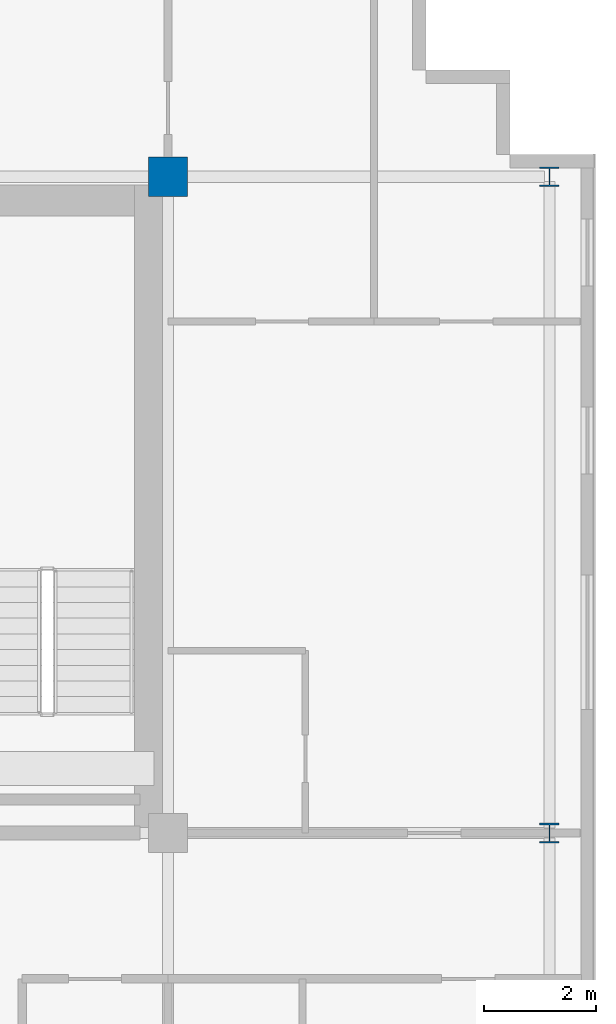
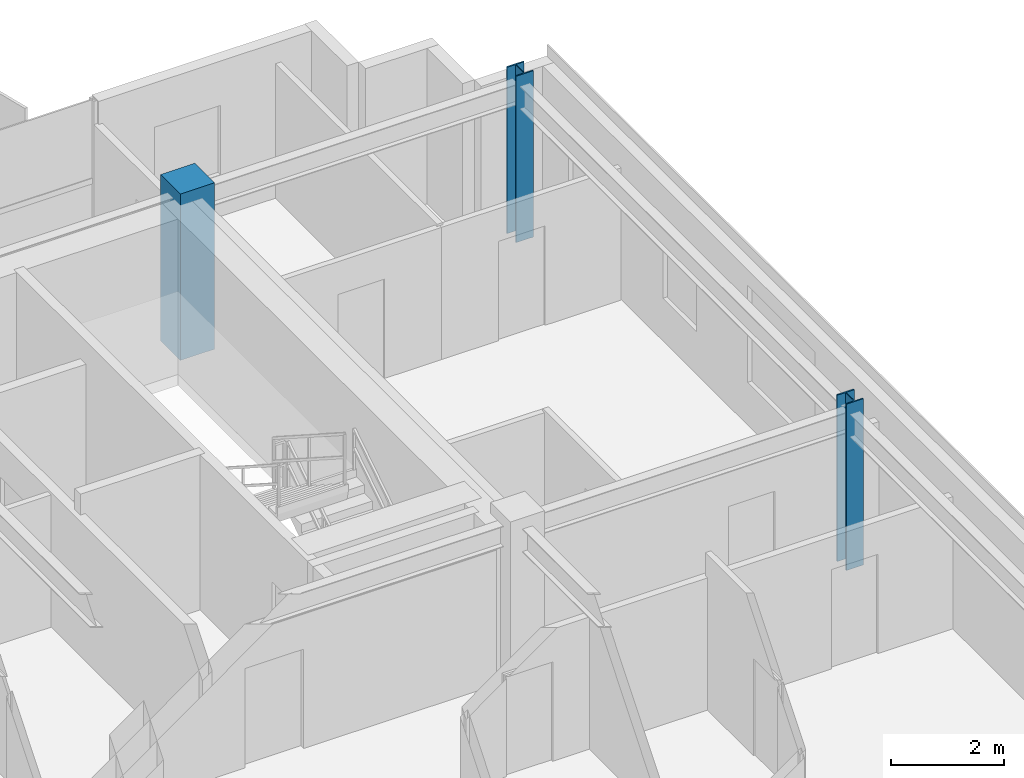
# One storey, part 4 of 23: 3 columns.
"""IFC4 building model written with IfcOpenShell, lengths in metres."""

from ifc_helpers import new_model, si_unit, direction, frame, origin, origin_2d, place, context, subcontext, project, spatial, rectangle, i_section, extrude, source, transform, mapped, material, material_profile, profile_set, type_object, element, save


model = new_model("IFC4")

# Units and contexts
model_context = context("Model", 3, precision=1e-05, world=origin(), true_north=direction((0.0, 1.0)))
body_context = subcontext(model_context, "Body", "Model", "MODEL_VIEW")
ifc_project = project(units=[si_unit("LENGTHUNIT", "METRE"), si_unit("AREAUNIT", "SQUARE_METRE"), si_unit("VOLUMEUNIT", "CUBIC_METRE"), si_unit("PLANEANGLEUNIT", "RADIAN"), si_unit("MASSUNIT", "GRAM", prefix="KILO")], contexts=[model_context])

# Site, building, storey
site_placement = place(None, origin())
site = spatial("IfcSite", under=ifc_project, at=site_placement, CompositionType="ELEMENT")
building_placement = place(site_placement, origin())
building = spatial("IfcBuilding", under=site, at=building_placement, Name="Trelvane Seafront Commons", CompositionType="ELEMENT")
storey_placement = place(building_placement, frame((0.0, 0.0, 212.10009765625)))
storey = spatial("IfcBuildingStorey", under=building, at=storey_placement, Name="L55", CompositionType="ELEMENT", Elevation=212.10009765625)

# Columns
ifc_material_1 = material(Name="Concrete C50/60", Category="concrete")
ifc_material_profile_1 = material_profile(ifc_material_1, rectangle(XDim=0.699951171875, YDim=0.699951171875, at=origin_2d()), Name="RC-700x700")
ifc_profile_set_1 = profile_set([ifc_material_profile_1], Name="Concrete C50/60")
column_type_1 = type_object("IfcColumnType", Name="STR-COL-RC700", PredefinedType="COLUMN", material=ifc_profile_set_1)
shared_shape_1 = source(origin(), body_context, "Body", "SweptSolid", [
    extrude(rectangle(XDim=0.699951171875, YDim=0.699951171875, at=origin_2d()), origin(), (0.0, 0.0, 1.0), 3.599853515625),
])
column_placement = place(storey_placement, frame((58.800048828125, 45.10009765625, 0.0), z_axis=(0.0, 0.0, 1.0), x_axis=(1.0, 0.0, 0.0)))
element("IfcColumn", 1, at=column_placement, inside=storey, type_object=column_type_1, Name="L55 Column TC-CN58.8", PredefinedType="COLUMN", context=body_context, shape_type="MappedRepresentation", body=[
    mapped(shared_shape_1, transform((0.0, 0.0, 0.0), x_axis=(1.0, 0.0, 0.0), y_axis=(0.0, 1.0, 0.0), z_axis=(0.0, 0.0, 1.0), scale=1.0)),
])
ifc_material_2 = material(Name="Steel SM355 (S355)", Category="steel")
ifc_material_profile_2 = material_profile(ifc_material_2, i_section(OverallWidth=0.35009765625, OverallDepth=0.35009765625, WebThickness=0.01806640625, FlangeThickness=0.028076171875, at=origin_2d()), Name="HD-350x350x18x28")
ifc_profile_set_2 = profile_set([ifc_material_profile_2], Name="Steel SM355 (S355)")
column_type_2 = type_object("IfcColumnType", Name="STR-COL-HD350", PredefinedType="COLUMN", material=ifc_profile_set_2)
shared_shape_2 = source(origin(), body_context, "Body", "SweptSolid", [
    extrude(i_section(OverallWidth=0.35009765625, OverallDepth=0.35009765625, WebThickness=0.01806640625, FlangeThickness=0.028076171875, at=origin_2d()), origin(), (0.0, 0.0, 1.0), 3.599853515625),
])
for number, where, z_axis, x_axis, name in (
    (2, (65.60009765625, 33.39990234375, 0.0), (0.0, 0.0, 1.0), (1.0, 0.0, 0.0), "L55 Column TC-CS65.6"),
    (3, (65.60009765625, 45.10009765625, 0.0), (0.0, 0.0, 1.0), (1.0, 0.0, 0.0), "L55 Column TC-CN65.6"),
):
    element("IfcColumn", number, at=place(storey_placement, frame(where, z_axis=z_axis, x_axis=x_axis)), inside=storey, type_object=column_type_2, Name=name, PredefinedType="COLUMN", context=body_context, shape_type="MappedRepresentation", body=[
        mapped(shared_shape_2, transform((0.0, 0.0, 0.0), x_axis=(1.0, 0.0, 0.0), y_axis=(0.0, 1.0, 0.0), z_axis=(0.0, 0.0, 1.0), scale=1.0)),
    ])

save(model, "model.ifc")
